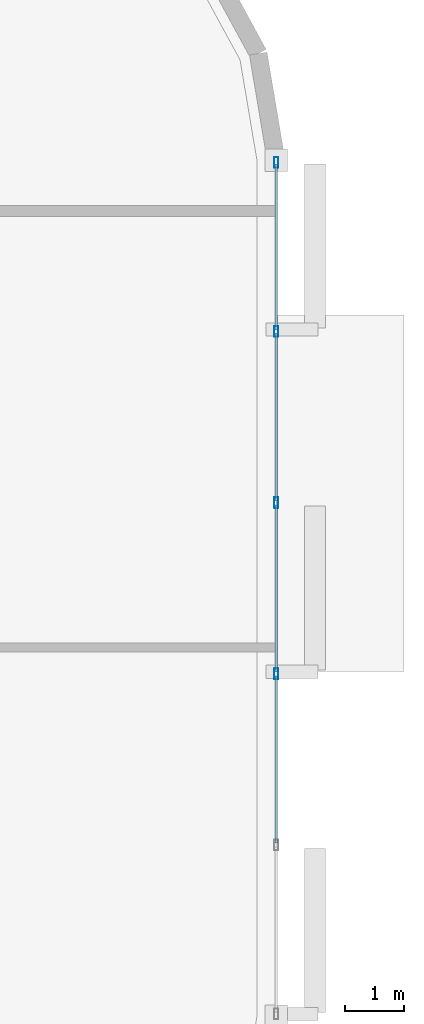
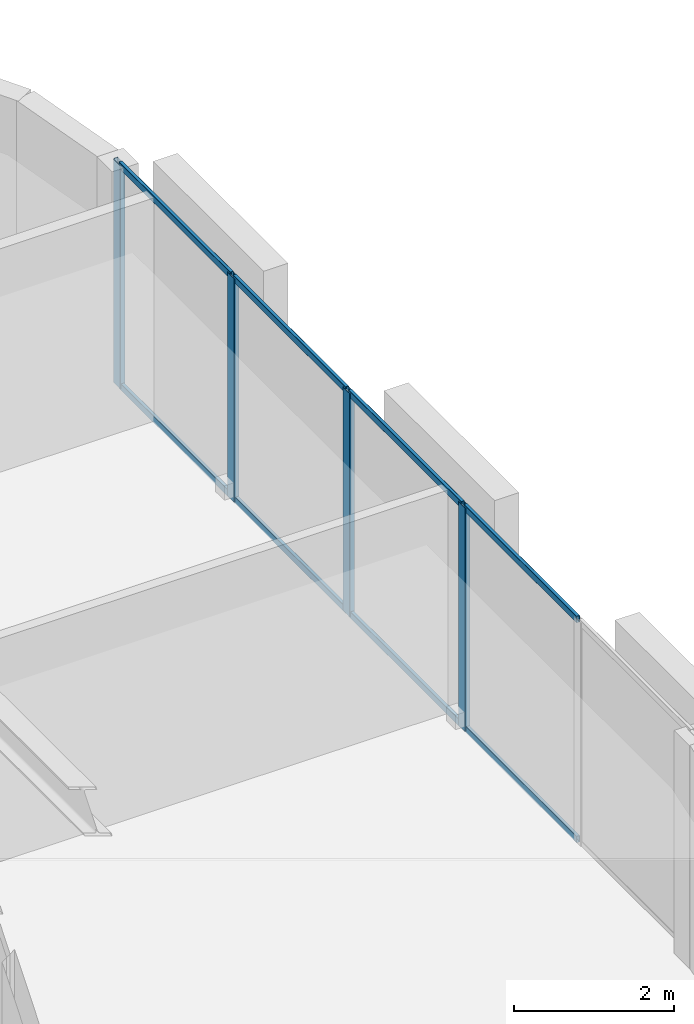
# One storey, part 6 of 15: 12 members, 1 element without a shape of its own.
"""IFC4 building model written with IfcOpenShell, lengths in metres."""

from ifc_helpers import new_model, si_unit, direction, frame, origin, origin_2d, place, context, subcontext, project, spatial, hollow_rectangle, extrude, material, layer, layer_set, material_profile, profile_set, type_object, element, aggregate, save


model = new_model("IFC4")

# Units and contexts
model_context = context("Model", 3, precision=1e-05, world=origin(), true_north=direction((0.0, 1.0)))
body_context = subcontext(model_context, "Body", "Model", "MODEL_VIEW")
ifc_project = project(units=[si_unit("LENGTHUNIT", "METRE"), si_unit("AREAUNIT", "SQUARE_METRE"), si_unit("VOLUMEUNIT", "CUBIC_METRE"), si_unit("PLANEANGLEUNIT", "RADIAN"), si_unit("MASSUNIT", "GRAM", prefix="KILO")], contexts=[model_context])

# Site, building, storey
site_placement = place(None, origin())
site = spatial("IfcSite", under=ifc_project, at=site_placement, CompositionType="ELEMENT")
building_placement = place(site_placement, origin())
building = spatial("IfcBuilding", under=site, at=building_placement, Name="An Khanh Terracotta Commons", CompositionType="ELEMENT")
storey_placement = place(building_placement, frame((0.0, 0.0, 165.39990234375)))
storey = spatial("IfcBuildingStorey", under=building, at=storey_placement, Name="L43", CompositionType="ELEMENT", Elevation=165.39990234375)

# Curtain wall, members
ifc_material = material(Name="Anodised Aluminium 6063-T6", Category="aluminium")
ifc_layer = layer(ifc_material, 0.2099609375, Name="Anodised Aluminium 6063-T6")
ifc_layer_set = layer_set([ifc_layer], Name="Anodised Aluminium 6063-T6")
curtain_wall_type = type_object("IfcCurtainWallType", Name="CW-SYS-03", PredefinedType="USERDEFINED", material=ifc_layer_set)
curtain_wall_placement = place(storey_placement, origin())
curtain_wall = element("IfcCurtainWall", 1, at=curtain_wall_placement, inside=storey, type_object=curtain_wall_type, Name="L43 CW-03 Unitised Curtain Wall CW-L43-12", ObjectType="UNITISED CURTAIN WALL", PredefinedType="USERDEFINED")
ifc_material_profile_1 = material_profile(ifc_material, hollow_rectangle(XDim=0.070068359375, YDim=0.179931640625, WallThickness=0.00390625, InnerFilletRadius=0.00390625, OuterFilletRadius=0.008056640625, at=origin_2d()), Name="RHS180x70x4")
ifc_profile_set_1 = profile_set([ifc_material_profile_1], Name="Anodised Aluminium 6063-T6")
member_type_1 = type_object("IfcMemberType", Name="CWM-RHS180x70x4", PredefinedType="MULLION", material=ifc_profile_set_1)
member_1_placement = place(storey_placement, frame((63.0, 22.56005859375, 0.0), z_axis=(0.0, 0.0, 1.0), x_axis=(-1.0, 0.0, 0.0)))
member_1 = element("IfcMember", 2, at=member_1_placement, type_object=member_type_1, Name="CW-03 mullion 3", PredefinedType="MULLION", context=body_context, shape_type="SweptSolid", body=[
    extrude(hollow_rectangle(XDim=0.070068359375, YDim=0.179931640625, WallThickness=0.00390625, InnerFilletRadius=0.00390625, OuterFilletRadius=0.008056640625, at=origin_2d()), origin(), (0.0, 0.0, 1.0), 3.400146484375),
])
member_2_placement = place(storey_placement, frame((63.0, 25.43994140625, 0.0), z_axis=(0.0, 0.0, 1.0), x_axis=(-1.0, 0.0, 0.0)))
member_2 = element("IfcMember", 3, at=member_2_placement, type_object=member_type_1, Name="CW-03 mullion 4", PredefinedType="MULLION", context=body_context, shape_type="SweptSolid", body=[
    extrude(hollow_rectangle(XDim=0.070068359375, YDim=0.179931640625, WallThickness=0.00390625, InnerFilletRadius=0.00390625, OuterFilletRadius=0.008056640625, at=origin_2d()), origin(), (0.0, 0.0, 1.0), 3.400146484375),
])
member_3_placement = place(storey_placement, frame((63.0, 28.320068359375, 0.0), z_axis=(0.0, 0.0, 1.0), x_axis=(-1.0, 0.0, 0.0)))
member_3 = element("IfcMember", 4, at=member_3_placement, type_object=member_type_1, Name="CW-03 mullion 5", PredefinedType="MULLION", context=body_context, shape_type="SweptSolid", body=[
    extrude(hollow_rectangle(XDim=0.070068359375, YDim=0.179931640625, WallThickness=0.00390625, InnerFilletRadius=0.00390625, OuterFilletRadius=0.008056640625, at=origin_2d()), origin(), (0.0, 0.0, 1.0), 3.400146484375),
])
member_4_placement = place(storey_placement, frame((63.0, 31.1650390625, 0.0), z_axis=(0.0, 0.0, 1.0), x_axis=(-1.0, 0.0, 0.0)))
member_4 = element("IfcMember", 5, at=member_4_placement, type_object=member_type_1, Name="CW-03 mullion 6", PredefinedType="MULLION", context=body_context, shape_type="SweptSolid", body=[
    extrude(hollow_rectangle(XDim=0.070068359375, YDim=0.179931640625, WallThickness=0.00390625, InnerFilletRadius=0.00390625, OuterFilletRadius=0.008056640625, at=origin_2d()), origin(), (0.0, 0.0, 1.0), 3.400146484375),
])
ifc_material_profile_2 = material_profile(ifc_material, hollow_rectangle(XDim=0.050048828125, YDim=0.10009765625, WallThickness=0.003173828125, InnerFilletRadius=0.003173828125, OuterFilletRadius=0.00634765625, at=origin_2d()), Name="RHS100x50x3.2")
ifc_profile_set_2 = profile_set([ifc_material_profile_2], Name="Anodised Aluminium 6063-T6")
member_type_2 = type_object("IfcMemberType", Name="CWT-RHS100x50x3.2", PredefinedType="USERDEFINED", material=ifc_profile_set_2)
member_5_placement = place(storey_placement, frame((63.0, 19.715087890625, 0.025146484375), z_axis=(0.0, 1.0, 0.0), x_axis=(-1.0, 0.0, 0.0)))
member_5 = element("IfcMember", 6, at=member_5_placement, type_object=member_type_2, Name="CW-03 transom 2.1", ObjectType="TRANSOM", PredefinedType="USERDEFINED", context=body_context, shape_type="SweptSolid", body=[
    extrude(hollow_rectangle(XDim=0.050048828125, YDim=0.10009765625, WallThickness=0.003173828125, InnerFilletRadius=0.003173828125, OuterFilletRadius=0.00634765625, at=origin_2d()), origin(), (0.0, 0.0, 1.0), 2.809814453125),
])
member_6_placement = place(storey_placement, frame((63.0, 19.715087890625, 3.375), z_axis=(0.0, 1.0, 0.0), x_axis=(-1.0, 0.0, 0.0)))
member_6 = element("IfcMember", 7, at=member_6_placement, type_object=member_type_2, Name="CW-03 transom 2.2", ObjectType="TRANSOM", PredefinedType="USERDEFINED", context=body_context, shape_type="SweptSolid", body=[
    extrude(hollow_rectangle(XDim=0.050048828125, YDim=0.10009765625, WallThickness=0.003173828125, InnerFilletRadius=0.003173828125, OuterFilletRadius=0.00634765625, at=origin_2d()), origin(), (0.0, 0.0, 1.0), 2.809814453125),
])
member_7_placement = place(storey_placement, frame((63.0, 22.594970703125, 0.025146484375), z_axis=(0.0, 1.0, 0.0), x_axis=(-1.0, 0.0, 0.0)))
member_7 = element("IfcMember", 8, at=member_7_placement, type_object=member_type_2, Name="CW-03 transom 3.1", ObjectType="TRANSOM", PredefinedType="USERDEFINED", context=body_context, shape_type="SweptSolid", body=[
    extrude(hollow_rectangle(XDim=0.050048828125, YDim=0.10009765625, WallThickness=0.003173828125, InnerFilletRadius=0.003173828125, OuterFilletRadius=0.00634765625, at=origin_2d()), origin(), (0.0, 0.0, 1.0), 2.81005859375),
])
member_8_placement = place(storey_placement, frame((63.0, 22.594970703125, 3.375), z_axis=(0.0, 1.0, 0.0), x_axis=(-1.0, 0.0, 0.0)))
member_8 = element("IfcMember", 9, at=member_8_placement, type_object=member_type_2, Name="CW-03 transom 3.2", ObjectType="TRANSOM", PredefinedType="USERDEFINED", context=body_context, shape_type="SweptSolid", body=[
    extrude(hollow_rectangle(XDim=0.050048828125, YDim=0.10009765625, WallThickness=0.003173828125, InnerFilletRadius=0.003173828125, OuterFilletRadius=0.00634765625, at=origin_2d()), origin(), (0.0, 0.0, 1.0), 2.81005859375),
])
member_9_placement = place(storey_placement, frame((63.0, 25.47509765625, 0.025146484375), z_axis=(0.0, 1.0, 0.0), x_axis=(-1.0, 0.0, 0.0)))
member_9 = element("IfcMember", 10, at=member_9_placement, type_object=member_type_2, Name="CW-03 transom 4.1", ObjectType="TRANSOM", PredefinedType="USERDEFINED", context=body_context, shape_type="SweptSolid", body=[
    extrude(hollow_rectangle(XDim=0.050048828125, YDim=0.10009765625, WallThickness=0.003173828125, InnerFilletRadius=0.003173828125, OuterFilletRadius=0.00634765625, at=origin_2d()), origin(), (0.0, 0.0, 1.0), 2.809814453125),
])
member_10_placement = place(storey_placement, frame((63.0, 25.47509765625, 3.375), z_axis=(0.0, 1.0, 0.0), x_axis=(-1.0, 0.0, 0.0)))
member_10 = element("IfcMember", 11, at=member_10_placement, type_object=member_type_2, Name="CW-03 transom 4.2", ObjectType="TRANSOM", PredefinedType="USERDEFINED", context=body_context, shape_type="SweptSolid", body=[
    extrude(hollow_rectangle(XDim=0.050048828125, YDim=0.10009765625, WallThickness=0.003173828125, InnerFilletRadius=0.003173828125, OuterFilletRadius=0.00634765625, at=origin_2d()), origin(), (0.0, 0.0, 1.0), 2.809814453125),
])
member_11_placement = place(storey_placement, frame((63.0, 28.35498046875, 0.025146484375), z_axis=(0.0, 1.0, 0.0), x_axis=(-1.0, 0.0, 0.0)))
member_11 = element("IfcMember", 12, at=member_11_placement, type_object=member_type_2, Name="CW-03 transom 5.1", ObjectType="TRANSOM", PredefinedType="USERDEFINED", context=body_context, shape_type="SweptSolid", body=[
    extrude(hollow_rectangle(XDim=0.050048828125, YDim=0.10009765625, WallThickness=0.003173828125, InnerFilletRadius=0.003173828125, OuterFilletRadius=0.00634765625, at=origin_2d()), origin(), (0.0, 0.0, 1.0), 2.77490234375),
])
member_12_placement = place(storey_placement, frame((63.0, 28.35498046875, 3.375), z_axis=(0.0, 1.0, 0.0), x_axis=(-1.0, 0.0, 0.0)))
member_12 = element("IfcMember", 13, at=member_12_placement, type_object=member_type_2, Name="CW-03 transom 5.2", ObjectType="TRANSOM", PredefinedType="USERDEFINED", context=body_context, shape_type="SweptSolid", body=[
    extrude(hollow_rectangle(XDim=0.050048828125, YDim=0.10009765625, WallThickness=0.003173828125, InnerFilletRadius=0.003173828125, OuterFilletRadius=0.00634765625, at=origin_2d()), origin(), (0.0, 0.0, 1.0), 2.77490234375),
])
aggregate(curtain_wall, [member_1, member_2, member_3, member_4, member_5, member_6, member_7, member_8, member_9, member_10, member_11, member_12])

save(model, "model.ifc")
